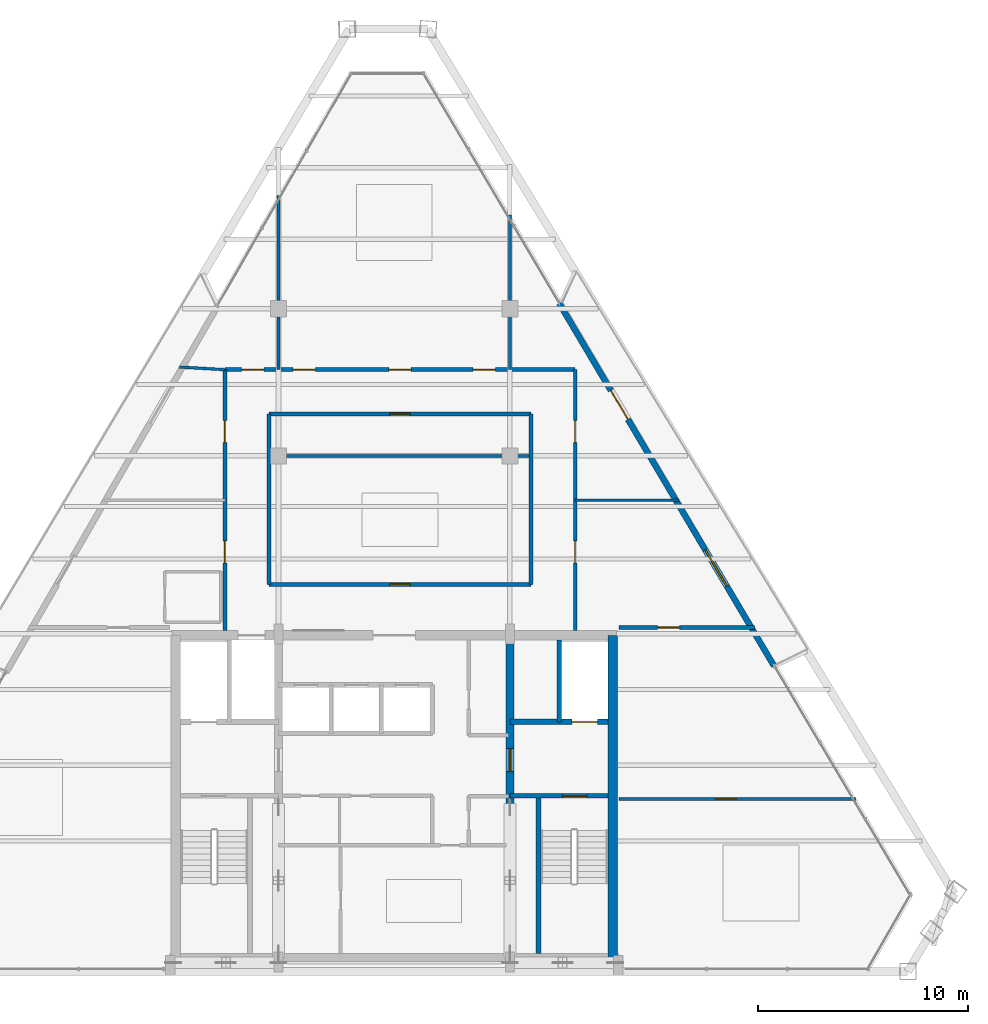
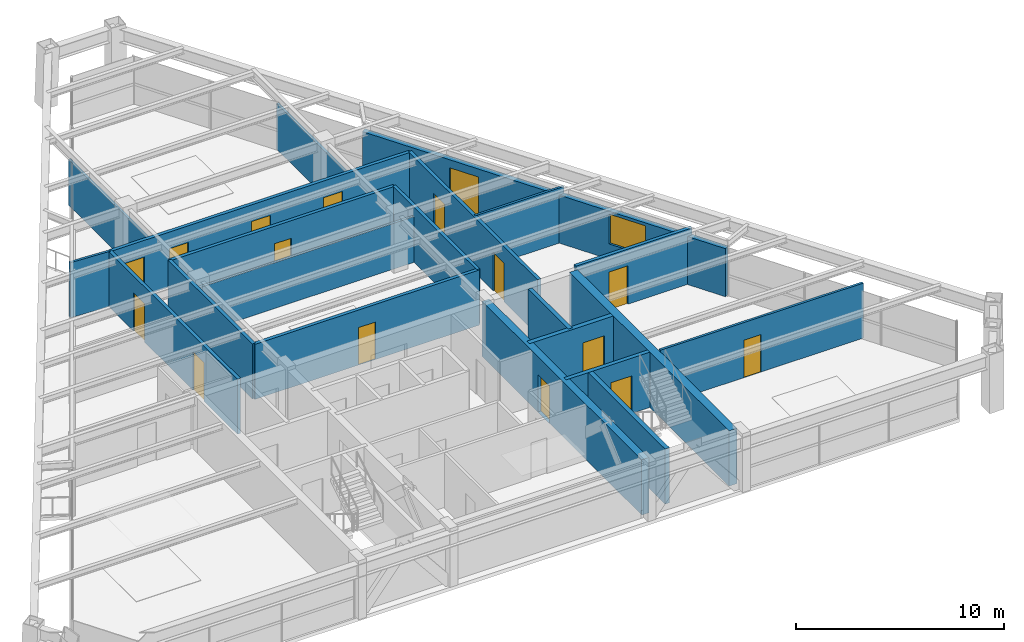
# One storey, part 10 of 13: 21 walls, 16 doors, 1 window, 17 openings.
"""IFC4 building model written with IfcOpenShell, lengths in metres."""

import ifcopenshell
import ifcopenshell.guid

model = None  # the IFC model being written
_history = None  # IfcOwnerHistory: only IFC2X3 demands one
_inside = {}  # id of a spatial element -> (the spatial element, [elements in it])
_under = {}  # id of a project, library or spatial element -> (it, [spatial elements below it])
_declared = {}  # id of a project -> (the project, [libraries it declares])
_typed = {}  # id of a type object -> (the type object, [elements of that type])
_made_of = {}  # id of a material, layer set ... -> (it, [elements and type objects made of it])


def new_model(schema):
    """Start an empty IFC model of exactly this schema.

    Asked for "IFC4X3", IfcOpenShell would pick the latest addendum, in which some entities
    have other attributes; the version numbers below select the first issue.
    IFC2X3 requires an IfcOwnerHistory on every rooted entity: one is made here for all.
    """
    global model, _history
    if schema == "IFC4X3":
        model = ifcopenshell.file(schema_version=(4, 3, 0, 0))
    else:
        model = ifcopenshell.file(schema=schema)
    _inside.clear()
    _under.clear()
    _declared.clear()
    _typed.clear()
    _made_of.clear()
    _history = None
    if model.schema == "IFC2X3":
        org = make("IfcOrganization", Name="unknown")
        user = make(
            "IfcPersonAndOrganization",
            ThePerson=make("IfcPerson", FamilyName="unknown"),
            TheOrganization=org,
        )
        app = make(
            "IfcApplication",
            ApplicationDeveloper=org,
            Version="unknown",
            ApplicationFullName="unknown",
            ApplicationIdentifier="unknown",
        )
        _history = make(
            "IfcOwnerHistory",
            OwningUser=user,
            OwningApplication=app,
            ChangeAction="ADDED",
            CreationDate=0,
        )
    return model


def make(cls, **values):
    """One entity of the class cls with the attributes given. An attribute that is None is left unset."""
    return model.create_entity(
        cls, **{name: value for name, value in values.items() if value is not None}
    )


def rooted(cls, **values):
    """An entity with a GlobalId (a new one), such as an element, a storey or a relation."""
    return make(cls, GlobalId=ifcopenshell.guid.new(), OwnerHistory=_history, **values)


def si_unit(unit_type, name, prefix=None):
    """IfcSIUnit, for example si_unit("LENGTHUNIT", "METRE", prefix="MILLI")."""
    return make("IfcSIUnit", UnitType=unit_type, Prefix=prefix, Name=name)


def assignment(units):
    """IfcUnitAssignment: the units of a project."""
    return None if units is None else make("IfcUnitAssignment", Units=units)


def point(xyz):
    """IfcCartesianPoint."""
    return None if xyz is None else make("IfcCartesianPoint", Coordinates=xyz)


def direction(xyz):
    """IfcDirection."""
    return None if xyz is None else make("IfcDirection", DirectionRatios=xyz)


def frame(location, z_axis=None, x_axis=None):
    """IfcAxis2Placement3D, a coordinate frame: its origin and axes. An axis left out is left unset."""
    return make(
        "IfcAxis2Placement3D",
        Location=point(location),
        Axis=direction(z_axis),
        RefDirection=direction(x_axis),
    )


def frame_2d(location, x_axis=None):
    """IfcAxis2Placement2D, a coordinate frame in the plane: its origin and x axis."""
    return make(
        "IfcAxis2Placement2D", Location=point(location), RefDirection=direction(x_axis)
    )


def origin():
    """The frame at (0, 0, 0) with its axes left unset."""
    return frame((0.0, 0.0, 0.0))


def place(relative_to, where):
    """IfcLocalPlacement: puts the frame where relative to a parent placement (None: the world)."""
    return make(
        "IfcLocalPlacement", PlacementRelTo=relative_to, RelativePlacement=where
    )


def context(
    kind, dimensions, precision=None, world=None, true_north=None, identifier=None
):
    """IfcGeometricRepresentationContext, for example the 3D "Model" context."""
    return make(
        "IfcGeometricRepresentationContext",
        ContextIdentifier=identifier,
        ContextType=kind,
        CoordinateSpaceDimension=dimensions,
        Precision=precision,
        WorldCoordinateSystem=world,
        TrueNorth=true_north,
    )


def subcontext(parent, identifier, kind, view, scale=None):
    """IfcGeometricRepresentationSubContext, for example "Body" below "Model"."""
    return make(
        "IfcGeometricRepresentationSubContext",
        ContextIdentifier=identifier,
        ContextType=kind,
        ParentContext=parent,
        TargetScale=scale,
        TargetView=view,
    )


def project(units=None, contexts=None):
    """IfcProject with its units and contexts."""
    return rooted(
        "IfcProject",
        Name="project",
        RepresentationContexts=contexts,
        UnitsInContext=assignment(units),
    )


def spatial(cls, under=None, at=None, **own):
    """A site, building, storey or space (cls), placed at a placement, below another one or the project."""
    s = rooted(cls, ObjectPlacement=at, **own)
    if under is not None:
        _under.setdefault(under.id(), (under, []))[1].append(s)
    return s


def profile(cls, at=None, kind="AREA", **sizes):
    """A parametric profile (cls). Its sizes go by their IFC names, for example OverallWidth=200.0."""
    return make(cls, ProfileType=kind, Position=at, **sizes)


def rectangle(**sizes):
    """IfcRectangleProfileDef."""
    return profile("IfcRectangleProfileDef", **sizes)


def extrude(swept, where, along, depth):
    """IfcExtrudedAreaSolid: the profile swept, set in the frame where, extruded along a direction by depth."""
    return make(
        "IfcExtrudedAreaSolid",
        SweptArea=swept,
        Position=where,
        ExtrudedDirection=direction(along),
        Depth=depth,
    )


def shape(context_of_items, identifier, shape_type, items):
    """IfcShapeRepresentation: the items that make up one representation, for example the "Body"."""
    return make(
        "IfcShapeRepresentation",
        ContextOfItems=context_of_items,
        RepresentationIdentifier=identifier,
        RepresentationType=shape_type,
        Items=items,
    )


def source(mapping_origin, context_of_items, identifier, shape_type, items):
    """IfcRepresentationMap: a shape defined once, which mapped items show again and again."""
    return make(
        "IfcRepresentationMap",
        MappingOrigin=mapping_origin,
        MappedRepresentation=shape(context_of_items, identifier, shape_type, items),
    )


def transform(
    local_origin,
    x_axis=None,
    y_axis=None,
    z_axis=None,
    scale=None,
    scale2=None,
    scale3=None,
    uniform=True,
):
    """IfcCartesianTransformationOperator3D, or its non-uniform kind. x_axis, y_axis, z_axis: its Axis1, 2, 3."""
    if uniform:
        return make(
            "IfcCartesianTransformationOperator3D",
            Axis1=direction(x_axis),
            Axis2=direction(y_axis),
            LocalOrigin=point(local_origin),
            Scale=scale,
            Axis3=direction(z_axis),
        )
    return make(
        "IfcCartesianTransformationOperator3DnonUniform",
        Axis1=direction(x_axis),
        Axis2=direction(y_axis),
        LocalOrigin=point(local_origin),
        Scale=scale,
        Axis3=direction(z_axis),
        Scale2=scale2,
        Scale3=scale3,
    )


def mapped(mapping_source, mapping_target):
    """IfcMappedItem: shows the shape of a source again, moved by a transform."""
    return make(
        "IfcMappedItem", MappingSource=mapping_source, MappingTarget=mapping_target
    )


def material(Name=None, Category=None):
    """IfcMaterial."""
    return make("IfcMaterial", Name=Name, Category=Category)


def layer(
    of_material, thickness, ventilated=None, Name=None, Category=None, Priority=None
):
    """IfcMaterialLayer: one layer of a wall or slab, of a material (None: an air gap)."""
    return make(
        "IfcMaterialLayer",
        Material=of_material,
        LayerThickness=thickness,
        IsVentilated=ventilated,
        Name=Name,
        Category=Category,
        Priority=Priority,
    )


def layer_set(layers, Name=None):
    """IfcMaterialLayerSet."""
    return make("IfcMaterialLayerSet", MaterialLayers=layers, LayerSetName=Name)


def made_of(thing, what):
    """Note that an element or type object is made of a material, layer set ...; save() writes the relation."""
    if what is not None:
        _made_of.setdefault(what.id(), (what, []))[1].append(thing)
    return thing


def type_object(cls, material=None, **own):
    """A type object (cls), such as IfcWallType, which elements share."""
    return made_of(rooted(cls, **own), material)


def type_shapes(of_type, sources):
    """Give a type object the sources (RepresentationMaps) that its elements show as mapped items."""
    of_type.RepresentationMaps = sources


def element(
    cls,
    number,
    at=None,
    inside=None,
    cuts=None,
    type_object=None,
    material=None,
    context=None,
    identifier="Body",
    shape_type=None,
    held_by="IfcProductDefinitionShape",
    body=None,
    shapes=None,
    **own,
):
    """One element of the class cls, such as IfcWall. Its Tag is "e" and its number.

    at: its placement. inside: the storey or other place that contains it. cuts: it is an
    opening in that element (IfcRelVoidsElement). A single representation is given by context,
    identifier, shape_type and body (its items); several are given by shapes. held_by: the class
    of the entity that holds the representations. save() writes the other relations.
    """
    e = rooted(cls, Tag="e%d" % number, ObjectPlacement=at, **own)
    if body is not None:
        shapes = [shape(context, identifier, shape_type, body)]
    if shapes is not None:
        e.Representation = make(held_by, Representations=shapes)
    if inside is not None:
        _inside.setdefault(inside.id(), (inside, []))[1].append(e)
    if cuts is not None:
        rooted(
            "IfcRelVoidsElement", RelatingBuildingElement=cuts, RelatedOpeningElement=e
        )
    if type_object is not None:
        _typed.setdefault(type_object.id(), (type_object, []))[1].append(e)
    return made_of(e, material)


def fill(opening, filler):
    """IfcRelFillsElement: the door or window that sits in an opening."""
    return rooted(
        "IfcRelFillsElement",
        RelatingOpeningElement=opening,
        RelatedBuildingElement=filler,
    )


def aggregate(whole, parts):
    """IfcRelAggregates: a whole, such as a stair, and the parts it consists of."""
    return rooted("IfcRelAggregates", RelatingObject=whole, RelatedObjects=parts)


def save(model, path):
    """Write the relations noted so far, then the file.

    IfcRelAggregates (storeys below a building ...), IfcRelContainedInSpatialStructure (elements
    in a storey), IfcRelDefinesByType, IfcRelAssociatesMaterial and IfcRelDeclares: one each for
    every whole, place, type object, material and project.
    """
    for whole, parts in _under.values():
        aggregate(whole, parts)
    for where, things in _inside.values():
        rooted(
            "IfcRelContainedInSpatialStructure",
            RelatedElements=things,
            RelatingStructure=where,
        )
    for kind, things in _typed.values():
        rooted("IfcRelDefinesByType", RelatedObjects=things, RelatingType=kind)
    for what, things in _made_of.values():
        rooted("IfcRelAssociatesMaterial", RelatedObjects=things, RelatingMaterial=what)
    for by, libraries in _declared.values():
        rooted("IfcRelDeclares", RelatingContext=by, RelatedDefinitions=libraries)
    model.write(path)


model = new_model("IFC4")

# Units and contexts
model_context = context("Model", 3, precision=1e-05, world=origin(), true_north=direction((0.0, 1.0)))
body_context = subcontext(model_context, "Body", "Model", "MODEL_VIEW")
ifc_project = project(units=[si_unit("LENGTHUNIT", "METRE"), si_unit("AREAUNIT", "SQUARE_METRE"), si_unit("VOLUMEUNIT", "CUBIC_METRE"), si_unit("PLANEANGLEUNIT", "RADIAN"), si_unit("MASSUNIT", "GRAM", prefix="KILO")], contexts=[model_context])

# Site, building, storey
site_placement = place(None, origin())
site = spatial("IfcSite", under=ifc_project, at=site_placement, CompositionType="ELEMENT")
building_placement = place(site_placement, origin())
building = spatial("IfcBuilding", under=site, at=building_placement, Name="Varnakhor Terracotta Tower", CompositionType="ELEMENT")
storey_placement = place(building_placement, frame((0.0, 0.0, 276.449951171875)))
storey = spatial("IfcBuildingStorey", under=building, at=storey_placement, Name="L72", CompositionType="ELEMENT", Elevation=276.449951171875)

# Wall
ifc_material_1 = material(Name="Concrete C50/60", Category="concrete")
ifc_layer_1 = layer(ifc_material_1, 0.449951171875, Name="Concrete C50/60")
ifc_layer_set_1 = layer_set([ifc_layer_1], Name="Concrete C50/60")
wall_type_1 = type_object("IfcWallType", Name="WAL-CORE-450", PredefinedType="SHEAR", material=ifc_layer_set_1)
wall_1_placement = place(storey_placement, frame((10.375, 0.625, 0.0), z_axis=(0.0, 0.0, 1.0), x_axis=(0.0, 1.0, 0.0)))
element("IfcWall", 1, at=wall_1_placement, inside=storey, type_object=wall_type_1, Name="L72 East Core Shear Wall", PredefinedType="SHEAR", context=body_context, shape_type="SweptSolid", body=[
    extrude(rectangle(XDim=15.35009765625, YDim=0.449951171875, at=frame_2d((7.675048828125, 0.0))), origin(), (0.0, 0.0, 1.0), 3.239990234375),
])

# Wall, opening, door
ifc_layer_2 = layer(ifc_material_1, 0.39990234375, Name="Concrete C50/60")
ifc_layer_set_2 = layer_set([ifc_layer_2], Name="Concrete C50/60")
wall_type_2 = type_object("IfcWallType", Name="WAL-CORE-WEB-400", PredefinedType="SHEAR", material=ifc_layer_set_2)
wall_2_placement = place(storey_placement, frame((5.5, 0.625, 0.0), z_axis=(0.0, 0.0, 1.0), x_axis=(0.0, 1.0, 0.0)))
wall_2 = element("IfcWall", 2, at=wall_2_placement, inside=storey, type_object=wall_type_2, Name="L72 East Core Web Shear Wall", PredefinedType="SHEAR", context=body_context, shape_type="SweptSolid", body=[
    extrude(rectangle(XDim=15.35009765625, YDim=0.39990234375, at=frame_2d((7.675048828125, 0.0))), origin(), (0.0, 0.0, 1.0), 3.239990234375),
])
opening_1_placement = place(wall_2_placement, frame((8.875, 0.0, 0.0)))
opening_1 = element("IfcOpeningElement", 3, at=opening_1_placement, cuts=wall_2, Name="Opening DR-25", PredefinedType="OPENING", context=body_context, shape_type="SweptSolid", body=[
    extrude(rectangle(XDim=1.10009765625, YDim=2.199951171875, at=frame_2d((0.550048828125, 1.10009765625))), frame((0.0, 0.2099609375, 0.0), z_axis=(0.0, -1.0, 0.0), x_axis=(1.0, 0.0, 0.0)), (0.0, 0.0, 1.0), 0.419921875),
])
ifc_material_2 = material(Name="Firefighting Lobby Self-Closing Fire Door", Category="steel")
door_type_1 = type_object("IfcDoorType", Name="DR-FFL-1100X2200", OperationType="NOTDEFINED", PredefinedType="DOOR", material=ifc_material_2)
shared_shape_1 = source(origin(), body_context, "Body", "SweptSolid", [
    extrude(rectangle(XDim=1.10009765625, YDim=2.199951171875, at=frame_2d((0.550048828125, 1.10009765625))), frame((0.0, 0.02490234375, 0.0), z_axis=(0.0, -1.0, 0.0), x_axis=(1.0, 0.0, 0.0)), (0.0, 0.0, 1.0), 0.050048828125),
])
type_shapes(door_type_1, [shared_shape_1])
door_1_placement = place(opening_1_placement, origin())
door_1 = element("IfcDoor", 4, at=door_1_placement, inside=storey, type_object=door_type_1, Name="L72 East Firefighting Lobby Door", OperationType="SINGLE_SWING_RIGHT", OverallHeight=2.199951171875, OverallWidth=1.10009765625, PredefinedType="DOOR", context=body_context, shape_type="MappedRepresentation", body=[
    mapped(shared_shape_1, transform((0.0, 0.0, 0.0), scale=1.0)),
])
fill(opening_1, door_1)

ifc_material_3 = material(Name="Fire-Rated Gypsum Stud Partition", Category="gypsum")
ifc_layer_3 = layer(ifc_material_3, 0.18505859375, Name="Fire-Rated Gypsum Stud Partition")
ifc_layer_set_3 = layer_set([ifc_layer_3], Name="Fire-Rated Gypsum Stud Partition")
wall_type_3 = type_object("IfcWallType", Name="WAL-CORR-185", PredefinedType="PARTITIONING", material=ifc_layer_set_3)
wall_3_placement = place(storey_placement, frame((-5.949951171875, 18.39990234375, 0.0), z_axis=(0.0, 0.0, 1.0), x_axis=(1.0, 0.0, 0.0)))
wall_3 = element("IfcWall", 5, at=wall_3_placement, inside=storey, type_object=wall_type_3, Name="L72 Ring Inner South Wall", PredefinedType="PARTITIONING", context=body_context, shape_type="SweptSolid", body=[
    extrude(rectangle(XDim=12.449951171875, YDim=0.18505859375, at=frame_2d((6.22509765625, 0.0))), origin(), (0.0, 0.0, 1.0), 3.23193359375),
])
opening_2_placement = place(wall_3_placement, frame((5.75, 0.0, 0.0)))
opening_2 = element("IfcOpeningElement", 6, at=opening_2_placement, cuts=wall_3, Name="Opening DR-94", PredefinedType="OPENING", context=body_context, shape_type="SweptSolid", body=[
    extrude(rectangle(XDim=0.949951171875, YDim=2.199951171875, at=frame_2d((0.47509765625, 1.10009765625))), frame((0.0, 0.1025390625, 0.0), z_axis=(0.0, -1.0, 0.0), x_axis=(1.0, 0.0, 0.0)), (0.0, 0.0, 1.0), 0.205078125),
])
ifc_material_4 = material(Name="Acoustic Glazed-Vision Timber Office Door", Category="wood")
door_type_2 = type_object("IfcDoorType", Name="DR-OFF-950X2200", OperationType="NOTDEFINED", PredefinedType="DOOR", material=ifc_material_4)
shared_shape_2 = source(origin(), body_context, "Body", "SweptSolid", [
    extrude(rectangle(XDim=0.949951171875, YDim=2.199951171875, at=frame_2d((0.47509765625, 1.10009765625))), frame((0.0, 0.02490234375, 0.0), z_axis=(0.0, -1.0, 0.0), x_axis=(1.0, 0.0, 0.0)), (0.0, 0.0, 1.0), 0.050048828125),
])
type_shapes(door_type_2, [shared_shape_2])
door_2_placement = place(opening_2_placement, origin())
door_2 = element("IfcDoor", 7, at=door_2_placement, inside=storey, type_object=door_type_2, Name="L72 Housekeeping Station Door", OperationType="SINGLE_SWING_LEFT", OverallHeight=2.199951171875, OverallWidth=0.949951171875, PredefinedType="DOOR", context=body_context, shape_type="MappedRepresentation", body=[
    mapped(shared_shape_2, transform((0.0, 0.0, 0.0), scale=1.0)),
])
fill(opening_2, door_2)

wall_4_placement = place(storey_placement, frame((-5.949951171875, 26.5, 0.0), z_axis=(0.0, 0.0, 1.0), x_axis=(1.0, 0.0, 0.0)))
wall_4 = element("IfcWall", 8, at=wall_4_placement, inside=storey, type_object=wall_type_3, Name="L72 Ring Inner North Wall", PredefinedType="PARTITIONING", context=body_context, shape_type="SweptSolid", body=[
    extrude(rectangle(XDim=12.449951171875, YDim=0.18505859375, at=frame_2d((6.22509765625, 0.0))), origin(), (0.0, 0.0, 1.0), 3.23193359375),
])
opening_3_placement = place(wall_4_placement, frame((5.75, 0.0, 0.0)))
opening_3 = element("IfcOpeningElement", 9, at=opening_3_placement, cuts=wall_4, Name="Opening DR-94", PredefinedType="OPENING", context=body_context, shape_type="SweptSolid", body=[
    extrude(rectangle(XDim=0.949951171875, YDim=2.199951171875, at=frame_2d((0.47509765625, 1.10009765625))), frame((0.0, 0.1025390625, 0.0), z_axis=(0.0, -1.0, 0.0), x_axis=(1.0, 0.0, 0.0)), (0.0, 0.0, 1.0), 0.205078125),
])
door_3_placement = place(opening_3_placement, origin())
door_3 = element("IfcDoor", 10, at=door_3_placement, inside=storey, type_object=door_type_2, Name="L72 Inner Service Door", OperationType="SINGLE_SWING_RIGHT", OverallHeight=2.199951171875, OverallWidth=0.949951171875, PredefinedType="DOOR", context=body_context, shape_type="MappedRepresentation", body=[
    mapped(shared_shape_2, transform((0.0, 0.0, 0.0), scale=1.0)),
])
fill(opening_3, door_3)

# Walls
for number, where, z_axis, x_axis, name in (
    (11, (-5.949951171875, 18.39990234375, 0.0), (0.0, 0.0, 1.0), (0.0, 1.0, 0.0), "L72 Ring Inner West Wall"),
    (12, (6.5, 18.39990234375, 0.0), (0.0, 0.0, 1.0), (0.0, 1.0, 0.0), "L72 Ring Inner East Wall"),
):
    element("IfcWall", number, at=place(storey_placement, frame(where, z_axis=z_axis, x_axis=x_axis)), inside=storey, type_object=wall_type_3, Name=name, PredefinedType="PARTITIONING", context=body_context, shape_type="SweptSolid", body=[
        extrude(rectangle(XDim=8.10009765625, YDim=0.18505859375, at=frame_2d((4.050048828125, 0.0))), origin(), (0.0, 0.0, 1.0), 3.23193359375),
    ])

# Wall, openings, doors
wall_5_placement = place(storey_placement, frame((-8.050048828125, 16.199951171875, 0.0), z_axis=(0.0, 0.0, 1.0), x_axis=(0.0, 1.0, 0.0)))
wall_5 = element("IfcWall", 13, at=wall_5_placement, inside=storey, type_object=wall_type_3, Name="L72 Hotel West Corridor Wall", PredefinedType="PARTITIONING", context=body_context, shape_type="SweptSolid", body=[
    extrude(rectangle(XDim=12.400146484375, YDim=0.18505859375, at=frame_2d((6.2001953125, 0.0))), origin(), (0.0, 0.0, 1.0), 3.23193359375),
])
opening_4_placement = place(wall_5_placement, frame((3.217529296875, 0.0, 0.0)))
opening_4 = element("IfcOpeningElement", 14, at=opening_4_placement, cuts=wall_5, Name="Opening DR-95", PredefinedType="OPENING", context=body_context, shape_type="SweptSolid", body=[
    extrude(rectangle(XDim=1.050048828125, YDim=2.25, at=frame_2d((0.52490234375, 1.125))), frame((0.0, 0.1025390625, 0.0), z_axis=(0.0, -1.0, 0.0), x_axis=(1.0, 0.0, 0.0)), (0.0, 0.0, 1.0), 0.205078125),
])
opening_5_placement = place(wall_5_placement, frame((8.935791015625, 0.0, 0.0)))
opening_5 = element("IfcOpeningElement", 15, at=opening_5_placement, cuts=wall_5, Name="Opening DR-95", PredefinedType="OPENING", context=body_context, shape_type="SweptSolid", body=[
    extrude(rectangle(XDim=1.050048828125, YDim=2.25, at=frame_2d((0.52490234375, 1.125))), frame((0.0, 0.1025390625, 0.0), z_axis=(0.0, -1.0, 0.0), x_axis=(1.0, 0.0, 0.0)), (0.0, 0.0, 1.0), 0.205078125),
])
ifc_material_5 = material(Name="Solid-Core Timber Tenant/Hotel Entrance Door", Category="wood")
door_type_3 = type_object("IfcDoorType", Name="DR-SUITE-1050X2250", OperationType="NOTDEFINED", PredefinedType="DOOR", material=ifc_material_5)
shared_shape_3 = source(origin(), body_context, "Body", "SweptSolid", [
    extrude(rectangle(XDim=1.050048828125, YDim=2.25, at=frame_2d((0.52490234375, 1.125))), frame((0.0, 0.02490234375, 0.0), z_axis=(0.0, -1.0, 0.0), x_axis=(1.0, 0.0, 0.0)), (0.0, 0.0, 1.0), 0.050048828125),
])
type_shapes(door_type_3, [shared_shape_3])
door_4_placement = place(opening_4_placement, origin())
door_4 = element("IfcDoor", 16, at=door_4_placement, inside=storey, type_object=door_type_3, Name="L72 West Room 1 Entry Door", OperationType="SINGLE_SWING_RIGHT", OverallHeight=2.25, OverallWidth=1.050048828125, PredefinedType="DOOR", context=body_context, shape_type="MappedRepresentation", body=[
    mapped(shared_shape_3, transform((0.0, 0.0, 0.0), scale=1.0)),
])
fill(opening_4, door_4)
door_5_placement = place(opening_5_placement, origin())
door_5 = element("IfcDoor", 17, at=door_5_placement, inside=storey, type_object=door_type_3, Name="L72 West Room 2 Entry Door", OperationType="SINGLE_SWING_RIGHT", OverallHeight=2.25, OverallWidth=1.050048828125, PredefinedType="DOOR", context=body_context, shape_type="MappedRepresentation", body=[
    mapped(shared_shape_3, transform((0.0, 0.0, 0.0), scale=1.0)),
])
fill(opening_5, door_5)

wall_6_placement = place(storey_placement, frame((8.60009765625, 16.199951171875, 0.0), z_axis=(0.0, 0.0, 1.0), x_axis=(0.0, 1.0, 0.0)))
wall_6 = element("IfcWall", 18, at=wall_6_placement, inside=storey, type_object=wall_type_3, Name="L72 Hotel East Corridor Wall", PredefinedType="PARTITIONING", context=body_context, shape_type="SweptSolid", body=[
    extrude(rectangle(XDim=12.400146484375, YDim=0.18505859375, at=frame_2d((6.2001953125, 0.0))), origin(), (0.0, 0.0, 1.0), 3.23193359375),
])
opening_6_placement = place(wall_6_placement, frame((3.217529296875, 0.0, 0.0)))
opening_6 = element("IfcOpeningElement", 19, at=opening_6_placement, cuts=wall_6, Name="Opening DR-95", PredefinedType="OPENING", context=body_context, shape_type="SweptSolid", body=[
    extrude(rectangle(XDim=1.050048828125, YDim=2.25, at=frame_2d((0.52490234375, 1.125))), frame((0.0, 0.1025390625, 0.0), z_axis=(0.0, -1.0, 0.0), x_axis=(1.0, 0.0, 0.0)), (0.0, 0.0, 1.0), 0.205078125),
])
opening_7_placement = place(wall_6_placement, frame((8.935791015625, 0.0, 0.0)))
opening_7 = element("IfcOpeningElement", 20, at=opening_7_placement, cuts=wall_6, Name="Opening DR-95", PredefinedType="OPENING", context=body_context, shape_type="SweptSolid", body=[
    extrude(rectangle(XDim=1.050048828125, YDim=2.25, at=frame_2d((0.52490234375, 1.125))), frame((0.0, 0.1025390625, 0.0), z_axis=(0.0, -1.0, 0.0), x_axis=(1.0, 0.0, 0.0)), (0.0, 0.0, 1.0), 0.205078125),
])
door_6_placement = place(opening_6_placement, origin())
door_6 = element("IfcDoor", 21, at=door_6_placement, inside=storey, type_object=door_type_3, Name="L72 East Room 1 Entry Door", OperationType="SINGLE_SWING_LEFT", OverallHeight=2.25, OverallWidth=1.050048828125, PredefinedType="DOOR", context=body_context, shape_type="MappedRepresentation", body=[
    mapped(shared_shape_3, transform((0.0, 0.0, 0.0), scale=1.0)),
])
fill(opening_6, door_6)
door_7_placement = place(opening_7_placement, origin())
door_7 = element("IfcDoor", 22, at=door_7_placement, inside=storey, type_object=door_type_3, Name="L72 East Room 2 Entry Door", OperationType="SINGLE_SWING_RIGHT", OverallHeight=2.25, OverallWidth=1.050048828125, PredefinedType="DOOR", context=body_context, shape_type="MappedRepresentation", body=[
    mapped(shared_shape_3, transform((0.0, 0.0, 0.0), scale=1.0)),
])
fill(opening_7, door_7)

wall_7_placement = place(storey_placement, frame((-8.050048828125, 28.60009765625, 0.0), z_axis=(0.0, 0.0, 1.0), x_axis=(1.0, 0.0, 0.0)))
wall_7 = element("IfcWall", 23, at=wall_7_placement, inside=storey, type_object=wall_type_3, Name="L72 Hotel North Corridor Wall", PredefinedType="PARTITIONING", context=body_context, shape_type="SweptSolid", body=[
    extrude(rectangle(XDim=16.650146484375, YDim=0.18505859375, at=frame_2d((8.3251953125, 0.0))), origin(), (0.0, 0.0, 1.0), 3.23193359375),
])
opening_8_placement = place(wall_7_placement, frame((3.24755859375, 0.0, 0.0)))
opening_8 = element("IfcOpeningElement", 24, at=opening_8_placement, cuts=wall_7, Name="Opening DR-95", PredefinedType="OPENING", context=body_context, shape_type="SweptSolid", body=[
    extrude(rectangle(XDim=1.050048828125, YDim=2.25, at=frame_2d((0.52490234375, 1.125))), frame((0.0, 0.1025390625, 0.0), z_axis=(0.0, -1.0, 0.0), x_axis=(1.0, 0.0, 0.0)), (0.0, 0.0, 1.0), 0.205078125),
])
opening_9_placement = place(wall_7_placement, frame((7.800048828125, 0.0, 0.0)))
opening_9 = element("IfcOpeningElement", 25, at=opening_9_placement, cuts=wall_7, Name="Opening DR-95", PredefinedType="OPENING", context=body_context, shape_type="SweptSolid", body=[
    extrude(rectangle(XDim=1.050048828125, YDim=2.25, at=frame_2d((0.52490234375, 1.125))), frame((0.0, 0.1025390625, 0.0), z_axis=(0.0, -1.0, 0.0), x_axis=(1.0, 0.0, 0.0)), (0.0, 0.0, 1.0), 0.205078125),
])
opening_10_placement = place(wall_7_placement, frame((11.802490234375, 0.0, 0.0)))
opening_10 = element("IfcOpeningElement", 26, at=opening_10_placement, cuts=wall_7, Name="Opening DR-95", PredefinedType="OPENING", context=body_context, shape_type="SweptSolid", body=[
    extrude(rectangle(XDim=1.050048828125, YDim=2.25, at=frame_2d((0.52490234375, 1.125))), frame((0.0, 0.1025390625, 0.0), z_axis=(0.0, -1.0, 0.0), x_axis=(1.0, 0.0, 0.0)), (0.0, 0.0, 1.0), 0.205078125),
])
opening_11_placement = place(wall_7_placement, frame((0.802490234375, 0.0, 0.0)))
opening_11 = element("IfcOpeningElement", 27, at=opening_11_placement, cuts=wall_7, Name="Opening DR-95", PredefinedType="OPENING", context=body_context, shape_type="SweptSolid", body=[
    extrude(rectangle(XDim=1.050048828125, YDim=2.25, at=frame_2d((0.52490234375, 1.125))), frame((0.0, 0.1025390625, 0.0), z_axis=(0.0, -1.0, 0.0), x_axis=(1.0, 0.0, 0.0)), (0.0, 0.0, 1.0), 0.205078125),
])
door_8_placement = place(opening_8_placement, origin())
door_8 = element("IfcDoor", 28, at=door_8_placement, inside=storey, type_object=door_type_3, Name="L72 North Suite 1 Entry Door", OperationType="SINGLE_SWING_LEFT", OverallHeight=2.25, OverallWidth=1.050048828125, PredefinedType="DOOR", context=body_context, shape_type="MappedRepresentation", body=[
    mapped(shared_shape_3, transform((0.0, 0.0, 0.0), scale=1.0)),
])
fill(opening_8, door_8)
door_9_placement = place(opening_9_placement, origin())
door_9 = element("IfcDoor", 29, at=door_9_placement, inside=storey, type_object=door_type_3, Name="L72 North Suite 2 Entry Door", OperationType="SINGLE_SWING_RIGHT", OverallHeight=2.25, OverallWidth=1.050048828125, PredefinedType="DOOR", context=body_context, shape_type="MappedRepresentation", body=[
    mapped(shared_shape_3, transform((0.0, 0.0, 0.0), scale=1.0)),
])
fill(opening_9, door_9)
door_10_placement = place(opening_10_placement, origin())
door_10 = element("IfcDoor", 30, at=door_10_placement, inside=storey, type_object=door_type_3, Name="L72 North Suite 3 Entry Door", OperationType="SINGLE_SWING_LEFT", OverallHeight=2.25, OverallWidth=1.050048828125, PredefinedType="DOOR", context=body_context, shape_type="MappedRepresentation", body=[
    mapped(shared_shape_3, transform((0.0, 0.0, 0.0), scale=1.0)),
])
fill(opening_10, door_10)
door_11_placement = place(opening_11_placement, origin())
door_11 = element("IfcDoor", 31, at=door_11_placement, inside=storey, type_object=door_type_3, Name="L72 Maitre D Reception NW Door", OperationType="SINGLE_SWING_RIGHT", OverallHeight=2.25, OverallWidth=1.050048828125, PredefinedType="DOOR", context=body_context, shape_type="MappedRepresentation", body=[
    mapped(shared_shape_3, transform((0.0, 0.0, 0.0), scale=1.0)),
])
fill(opening_11, door_11)

# Wall, opening, door
wall_8_placement = place(storey_placement, frame((10.679931640625, 16.35009765625, 0.0), z_axis=(0.0, 0.0, 1.0), x_axis=(1.0, 0.0, 0.0)))
wall_8 = element("IfcWall", 32, at=wall_8_placement, inside=storey, type_object=wall_type_3, Name="L72 South East Guest Entry Wall", PredefinedType="PARTITIONING", context=body_context, shape_type="SweptSolid", body=[
    extrude(rectangle(XDim=6.435302734375, YDim=0.18505859375, at=frame_2d((3.2177734375, 0.0))), origin(), (0.0, 0.0, 1.0), 3.23193359375),
])
opening_12_placement = place(wall_8_placement, frame((1.829345703125, 0.0, 0.0)))
opening_12 = element("IfcOpeningElement", 33, at=opening_12_placement, cuts=wall_8, Name="Opening DR-95", PredefinedType="OPENING", context=body_context, shape_type="SweptSolid", body=[
    extrude(rectangle(XDim=1.050048828125, YDim=2.25, at=frame_2d((0.52490234375, 1.125))), frame((0.0, 0.1025390625, 0.0), z_axis=(0.0, -1.0, 0.0), x_axis=(1.0, 0.0, 0.0)), (0.0, 0.0, 1.0), 0.205078125),
])
door_12_placement = place(opening_12_placement, origin())
door_12 = element("IfcDoor", 34, at=door_12_placement, inside=storey, type_object=door_type_3, Name="L72 SE Suite Entry Door", OperationType="SINGLE_SWING_RIGHT", OverallHeight=2.25, OverallWidth=1.050048828125, PredefinedType="DOOR", context=body_context, shape_type="MappedRepresentation", body=[
    mapped(shared_shape_3, transform((0.0, 0.0, 0.0), scale=1.0)),
])
fill(opening_12, door_12)

# Wall, openings, door, window
ifc_material_6 = material(Name="Extruded Architectural Terracotta Assembly", Category="masonry")
ifc_layer_4 = layer(ifc_material_6, 0.280029296875, Name="Extruded Architectural Terracotta Assembly")
ifc_layer_set_4 = layer_set([ifc_layer_4], Name="Extruded Architectural Terracotta Assembly")
wall_type_4 = type_object("IfcWallType", Name="WAL-EXT-TERRACOTTA-280", PredefinedType="SOLIDWALL", material=ifc_layer_set_4)
wall_9_placement = place(storey_placement, frame((7.843017578125, 31.7470703125, 0.0), z_axis=(0.0, 0.0, 1.0), x_axis=(0.50967367276, -0.860367797686, 0.0)))
wall_9 = element("IfcWall", 35, at=wall_9_placement, inside=storey, type_object=wall_type_4, Name="L72 E Loggia Insulated Terracotta Wall", PredefinedType="SOLIDWALL", context=body_context, shape_type="SweptSolid", body=[
    extrude(rectangle(XDim=20.017578125, YDim=0.280029296875, at=frame_2d((10.0087890625, 0.0))), origin(), (0.0, 0.0, 1.0), 2.820068359375),
])
opening_13_placement = place(wall_9_placement, frame((4.80419921875, 0.0, 0.0)))
opening_13 = element("IfcOpeningElement", 36, at=opening_13_placement, cuts=wall_9, Name="Opening DR-62", PredefinedType="OPENING", context=body_context, shape_type="SweptSolid", body=[
    extrude(rectangle(XDim=1.60009765625, YDim=2.35009765625, at=frame_2d((0.800048828125, 1.175048828125))), frame((0.0, 0.14990234375, 0.0), z_axis=(0.0, -1.0, 0.0), x_axis=(1.0, 0.0, 0.0)), (0.0, 0.0, 1.0), 0.300048828125),
])
opening_14_placement = place(wall_9_placement, frame((13.61181640625, 0.0, 0.89990234375)))
opening_14 = element("IfcOpeningElement", 37, at=opening_14_placement, cuts=wall_9, Name="Opening WN-63", PredefinedType="OPENING", context=body_context, shape_type="SweptSolid", body=[
    extrude(rectangle(XDim=2.0, YDim=1.75, at=frame_2d((1.0, 0.875))), frame((0.0, 0.14990234375, 0.0), z_axis=(0.0, -1.0, 0.0), x_axis=(1.0, 0.0, 0.0)), (0.0, 0.0, 1.0), 0.300048828125),
])
ifc_material_7 = material(Name="Thermally Broken Sliding Glass Loggia Door", Category="glass")
door_type_4 = type_object("IfcDoorType", Name="DR-EXT-LOGGIA-1600X2350", OperationType="NOTDEFINED", PredefinedType="DOOR", material=ifc_material_7)
shared_shape_4 = source(origin(), body_context, "Body", "SweptSolid", [
    extrude(rectangle(XDim=1.60009765625, YDim=2.35009765625, at=frame_2d((0.800048828125, 1.175048828125))), frame((0.0, 0.02490234375, 0.0), z_axis=(0.0, -1.0, 0.0), x_axis=(1.0, 0.0, 0.0)), (0.0, 0.0, 1.0), 0.050048828125),
])
type_shapes(door_type_4, [shared_shape_4])
door_13_placement = place(opening_13_placement, origin())
door_13 = element("IfcDoor", 38, at=door_13_placement, inside=storey, type_object=door_type_4, Name="L72 E Recessed Loggia Sliding Door", OperationType="SLIDING_TO_RIGHT", OverallHeight=2.35009765625, OverallWidth=1.60009765625, PredefinedType="DOOR", context=body_context, shape_type="MappedRepresentation", body=[
    mapped(shared_shape_4, transform((0.0, 0.0, 0.0), scale=1.0)),
])
fill(opening_13, door_13)
ifc_material_8 = material(Name="Solar-Control Low-E Insulated Glass Unit", Category="glass")
window_type = type_object("IfcWindowType", Name="WIN-HTL-2000X1950", PartitioningType="SINGLE_PANEL", PredefinedType="WINDOW", material=ifc_material_8)
shared_shape_5 = source(origin(), body_context, "Body", "SweptSolid", [
    extrude(rectangle(XDim=2.0, YDim=1.75, at=frame_2d((1.0, 0.875))), frame((0.0, 0.030029296875, 0.0), z_axis=(0.0, -1.0, 0.0), x_axis=(1.0, 0.0, 0.0)), (0.0, 0.0, 1.0), 0.06005859375),
])
type_shapes(window_type, [shared_shape_5])
window_placement = place(opening_14_placement, origin())
window = element("IfcWindow", 39, at=window_placement, inside=storey, type_object=window_type, Name="L72 E Facet Punched Window", OverallHeight=1.75, OverallWidth=2.0, PartitioningType="SINGLE_PANEL", PredefinedType="WINDOW", context=body_context, shape_type="MappedRepresentation", body=[
    mapped(shared_shape_5, transform((0.0, 0.0, 0.0), scale=1.0)),
])
fill(opening_14, window)

# Wall, opening, door
ifc_material_9 = material(Name="Concrete C40/50", Category="concrete")
ifc_layer_5 = layer(ifc_material_9, 0.219970703125, Name="Concrete C40/50")
ifc_layer_set_5 = layer_set([ifc_layer_5], Name="Concrete C40/50")
wall_type_5 = type_object("IfcWallType", Name="WAL-FFLOBBY-220", PredefinedType="SOLIDWALL", material=ifc_layer_set_5)
wall_10_placement = place(storey_placement, frame((10.14990234375, 8.35009765625, 0.0), z_axis=(0.0, 0.0, 1.0), x_axis=(-1.0, 0.0, 0.0)))
wall_10 = element("IfcWall", 40, at=wall_10_placement, inside=storey, type_object=wall_type_5, Name="L72 East Firefighting Lobby Stair Wall", PredefinedType="SOLIDWALL", context=body_context, shape_type="SweptSolid", body=[
    extrude(rectangle(XDim=4.64990234375, YDim=0.219970703125, at=frame_2d((2.324951171875, 0.0))), origin(), (0.0, 0.0, 1.0), 3.239990234375),
])
opening_15_placement = place(wall_10_placement, frame((1.0, 0.0, 0.0)))
opening_15 = element("IfcOpeningElement", 41, at=opening_15_placement, cuts=wall_10, Name="Opening DR-34", PredefinedType="OPENING", context=body_context, shape_type="SweptSolid", body=[
    extrude(rectangle(XDim=1.14990234375, YDim=2.199951171875, at=frame_2d((0.574951171875, 1.10009765625))), frame((0.0, 0.1201171875, 0.0), z_axis=(0.0, -1.0, 0.0), x_axis=(1.0, 0.0, 0.0)), (0.0, 0.0, 1.0), 0.239990234375),
])
ifc_material_10 = material(Name="Self-Closing Smoke-Sealed Steel Fire Door", Category="steel")
door_type_5 = type_object("IfcDoorType", Name="DR-STAIR-1150X2200", OperationType="NOTDEFINED", PredefinedType="DOOR", material=ifc_material_10)
shared_shape_6 = source(origin(), body_context, "Body", "SweptSolid", [
    extrude(rectangle(XDim=1.14990234375, YDim=2.199951171875, at=frame_2d((0.574951171875, 1.10009765625))), frame((0.0, 0.02490234375, 0.0), z_axis=(0.0, -1.0, 0.0), x_axis=(1.0, 0.0, 0.0)), (0.0, 0.0, 1.0), 0.050048828125),
])
type_shapes(door_type_5, [shared_shape_6])
door_14_placement = place(opening_15_placement, origin())
door_14 = element("IfcDoor", 42, at=door_14_placement, inside=storey, type_object=door_type_5, Name="L72 Exit Stair ST-2 Fire Door", OperationType="SINGLE_SWING_LEFT", OverallHeight=2.199951171875, OverallWidth=1.14990234375, PredefinedType="DOOR", context=body_context, shape_type="MappedRepresentation", body=[
    mapped(shared_shape_6, transform((0.0, 0.0, 0.0), scale=1.0)),
])
fill(opening_15, door_14)

# Walls
ifc_material_11 = material(Name="Acoustic Hotel Room Partition", Category="gypsum")
ifc_layer_6 = layer(ifc_material_11, 0.1298828125, Name="Acoustic Hotel Room Partition")
ifc_layer_set_6 = layer_set([ifc_layer_6], Name="Acoustic Hotel Room Partition")
wall_type_6 = type_object("IfcWallType", Name="WAL-PART-130", PredefinedType="PARTITIONING", material=ifc_layer_set_6)
wall_11_placement = place(storey_placement, frame((-10.21337890625, 28.726318359375, 0.0), z_axis=(0.0, 0.0, 1.0), x_axis=(0.998302231297, -0.058246501928, 0.0)))
element("IfcWall", 43, at=wall_11_placement, inside=storey, type_object=wall_type_6, Name="L72 North West Suite South Wall", PredefinedType="PARTITIONING", context=body_context, shape_type="SweptSolid", body=[
    extrude(rectangle(XDim=2.1669921875, YDim=0.1298828125, at=frame_2d((1.08349609375, 0.0))), origin(), (0.0, 0.0, 1.0), 3.23193359375),
])
wall_12_placement = place(storey_placement, frame((-5.5, 28.60009765625, 0.0), z_axis=(0.0, 0.0, 1.0), x_axis=(0.0, 1.0, 0.0)))
element("IfcWall", 44, at=wall_12_placement, inside=storey, type_object=wall_type_6, Name="L72 North West Column Wall", PredefinedType="PARTITIONING", context=body_context, shape_type="SweptSolid", body=[
    extrude(rectangle(XDim=8.288818359375, YDim=0.1298828125, at=frame_2d((4.14453125, 0.0))), origin(), (0.0, 0.0, 1.0), 2.68310546875),
])
wall_13_placement = place(storey_placement, frame((5.5, 28.60009765625, 0.0), z_axis=(0.0, 0.0, 1.0), x_axis=(0.0, 1.0, 0.0)))
element("IfcWall", 45, at=wall_13_placement, inside=storey, type_object=wall_type_6, Name="L72 North East Column Wall", PredefinedType="PARTITIONING", context=body_context, shape_type="SweptSolid", body=[
    extrude(rectangle(XDim=7.357421875, YDim=0.1298828125, at=frame_2d((3.6787109375, 0.0))), origin(), (0.0, 0.0, 1.0), 2.68310546875),
])

# Wall, opening, door
wall_14_placement = place(storey_placement, frame((10.679931640625, 8.199951171875, 0.0), z_axis=(0.0, 0.0, 1.0), x_axis=(1.0, 0.0, 0.0)))
wall_14 = element("IfcWall", 46, at=wall_14_placement, inside=storey, type_object=wall_type_6, Name="L72 SE Key Split 1", PredefinedType="PARTITIONING", context=body_context, shape_type="SweptSolid", body=[
    extrude(rectangle(XDim=11.26318359375, YDim=0.1298828125, at=frame_2d((5.631591796875, 0.0))), origin(), (0.0, 0.0, 1.0), 3.23193359375),
])
opening_16_placement = place(wall_14_placement, frame((4.62744140625, 0.0, 0.0)))
opening_16 = element("IfcOpeningElement", 47, at=opening_16_placement, cuts=wall_14, Name="Opening DR-94", PredefinedType="OPENING", context=body_context, shape_type="SweptSolid", body=[
    extrude(rectangle(XDim=0.949951171875, YDim=2.199951171875, at=frame_2d((0.47509765625, 1.10009765625))), frame((0.0, 0.074951171875, 0.0), z_axis=(0.0, -1.0, 0.0), x_axis=(1.0, 0.0, 0.0)), (0.0, 0.0, 1.0), 0.14990234375),
])
door_15_placement = place(opening_16_placement, origin())
door_15 = element("IfcDoor", 48, at=door_15_placement, inside=storey, type_object=door_type_2, Name="L72 SE Suite Connect Door 1", OperationType="SINGLE_SWING_LEFT", OverallHeight=2.199951171875, OverallWidth=0.949951171875, PredefinedType="DOOR", context=body_context, shape_type="MappedRepresentation", body=[
    mapped(shared_shape_2, transform((0.0, 0.0, 0.0), scale=1.0)),
])
fill(opening_16, door_15)

# Walls
wall_15_placement = place(storey_placement, frame((8.60009765625, 22.39990234375, 0.0), z_axis=(0.0, 0.0, 1.0), x_axis=(1.0, 0.0, 0.0)))
element("IfcWall", 49, at=wall_15_placement, inside=storey, type_object=wall_type_6, Name="L72 East Key Cut 1", PredefinedType="PARTITIONING", context=body_context, shape_type="SweptSolid", body=[
    extrude(rectangle(XDim=4.93115234375, YDim=0.1298828125, at=frame_2d((2.465576171875, 0.0))), origin(), (0.0, 0.0, 1.0), 3.23193359375),
])
ifc_material_12 = material(Name="Acoustic Metal-Stud Partition", Category="gypsum")
ifc_layer_7 = layer(ifc_material_12, 0.139892578125, Name="Acoustic Metal-Stud Partition")
ifc_layer_set_7 = layer_set([ifc_layer_7], Name="Acoustic Metal-Stud Partition")
wall_type_7 = type_object("IfcWallType", Name="WAL-PART-140", PredefinedType="PARTITIONING", material=ifc_layer_set_7)
wall_16_placement = place(storey_placement, frame((-5.949951171875, 24.5, 0.0), z_axis=(0.0, 0.0, 1.0), x_axis=(1.0, 0.0, 0.0)))
element("IfcWall", 50, at=wall_16_placement, inside=storey, type_object=wall_type_7, Name="L72 Inner Service Split", PredefinedType="PARTITIONING", context=body_context, shape_type="SweptSolid", body=[
    extrude(rectangle(XDim=12.449951171875, YDim=0.139892578125, at=frame_2d((6.22509765625, 0.0))), origin(), (0.0, 0.0, 1.0), 2.68310546875),
])
ifc_layer_8 = layer(ifc_material_9, 0.219970703125, Name="Concrete C40/50")
ifc_layer_set_8 = layer_set([ifc_layer_8], Name="Concrete C40/50")
wall_type_8 = type_object("IfcWallType", Name="WAL-SHAFT-220", PredefinedType="SOLIDWALL", material=ifc_layer_set_8)
wall_17_placement = place(storey_placement, frame((7.840087890625, 11.8701171875, 0.0), z_axis=(0.0, 0.0, 1.0), x_axis=(0.0, 1.0, 0.0)))
element("IfcWall", 51, at=wall_17_placement, inside=storey, type_object=wall_type_8, Name="L72 Lift FFL-2 and Riser Divider Wall", PredefinedType="SOLIDWALL", context=body_context, shape_type="SweptSolid", body=[
    extrude(rectangle(XDim=3.8798828125, YDim=0.219970703125, at=frame_2d((1.93994140625, 0.0))), origin(), (0.0, 0.0, 1.0), 3.239990234375),
])
ifc_layer_9 = layer(ifc_material_9, 0.25, Name="Concrete C40/50")
ifc_layer_set_9 = layer_set([ifc_layer_9], Name="Concrete C40/50")
wall_type_9 = type_object("IfcWallType", Name="WAL-SHAFT-250", PredefinedType="SOLIDWALL", material=ifc_layer_set_9)
wall_18_placement = place(storey_placement, frame((6.85009765625, 0.85009765625, 0.0), z_axis=(0.0, 0.0, 1.0), x_axis=(0.0, 1.0, 0.0)))
element("IfcWall", 52, at=wall_18_placement, inside=storey, type_object=wall_type_9, Name="L72 Stair ST-2 Bearing Shaft Wall", PredefinedType="SOLIDWALL", context=body_context, shape_type="SweptSolid", body=[
    extrude(rectangle(XDim=7.5, YDim=0.25, at=frame_2d((3.75, 0.0))), origin(), (0.0, 0.0, 1.0), 3.239990234375),
])

# Wall, opening, door
wall_19_placement = place(storey_placement, frame((10.14990234375, 11.8701171875, 0.0), z_axis=(0.0, 0.0, 1.0), x_axis=(-1.0, 0.0, 0.0)))
wall_19 = element("IfcWall", 53, at=wall_19_placement, inside=storey, type_object=wall_type_9, Name="L72 Lift FFL-2 Shaft Front Wall", PredefinedType="SOLIDWALL", context=body_context, shape_type="SweptSolid", body=[
    extrude(rectangle(XDim=4.64990234375, YDim=0.25, at=frame_2d((2.324951171875, 0.0))), origin(), (0.0, 0.0, 1.0), 3.239990234375),
])
opening_17_placement = place(wall_19_placement, frame((0.5, 0.0, 0.0)))
opening_17 = element("IfcOpeningElement", 54, at=opening_17_placement, cuts=wall_19, Name="Opening LD-02", PredefinedType="OPENING", context=body_context, shape_type="SweptSolid", body=[
    extrude(rectangle(XDim=1.199951171875, YDim=2.25, at=frame_2d((0.60009765625, 1.125))), frame((0.0, 0.135009765625, 0.0), z_axis=(0.0, -1.0, 0.0), x_axis=(1.0, 0.0, 0.0)), (0.0, 0.0, 1.0), 0.27001953125),
])
ifc_material_13 = material(Name="Firefighting Stretcher Sliding Lift Landing Door", Category="steel")
door_type_6 = type_object("IfcDoorType", Name="LD-FFL-1200X2250", OperationType="NOTDEFINED", PredefinedType="DOOR", material=ifc_material_13)
shared_shape_7 = source(origin(), body_context, "Body", "SweptSolid", [
    extrude(rectangle(XDim=1.199951171875, YDim=2.25, at=frame_2d((0.60009765625, 1.125))), frame((0.0, 0.02490234375, 0.0), z_axis=(0.0, -1.0, 0.0), x_axis=(1.0, 0.0, 0.0)), (0.0, 0.0, 1.0), 0.050048828125),
])
type_shapes(door_type_6, [shared_shape_7])
door_16_placement = place(opening_17_placement, origin())
door_16 = element("IfcDoor", 55, at=door_16_placement, inside=storey, type_object=door_type_6, Name="L72 Firefighting Lift FFL-2 Landing Door", OperationType="SLIDING_TO_RIGHT", OverallHeight=2.25, OverallWidth=1.199951171875, PredefinedType="DOOR", context=body_context, shape_type="MappedRepresentation", body=[
    mapped(shared_shape_7, transform((0.0, 0.0, 0.0), scale=1.0)),
])
fill(opening_17, door_16)

save(model, "model.ifc")
